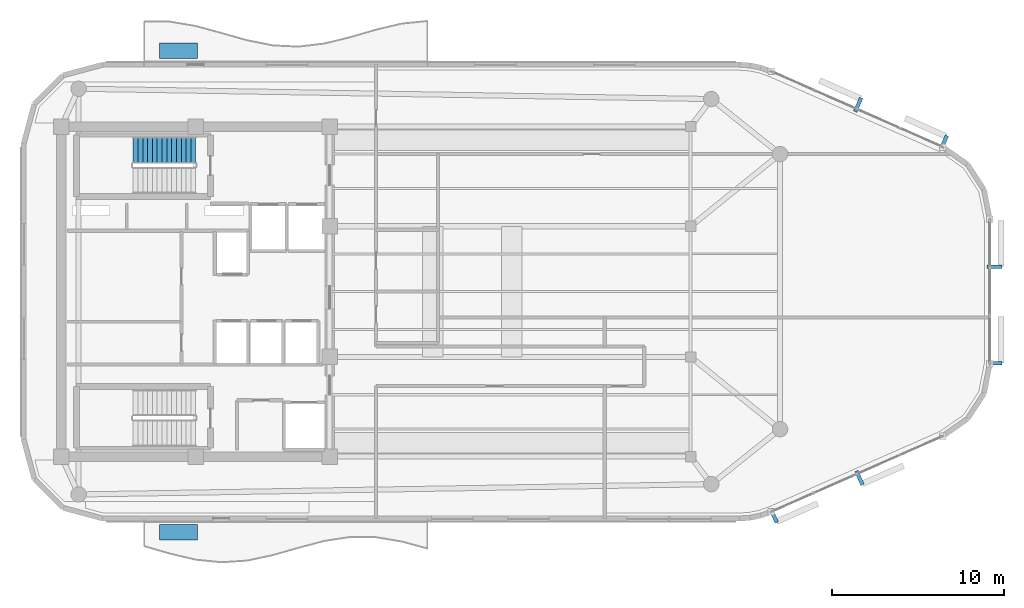
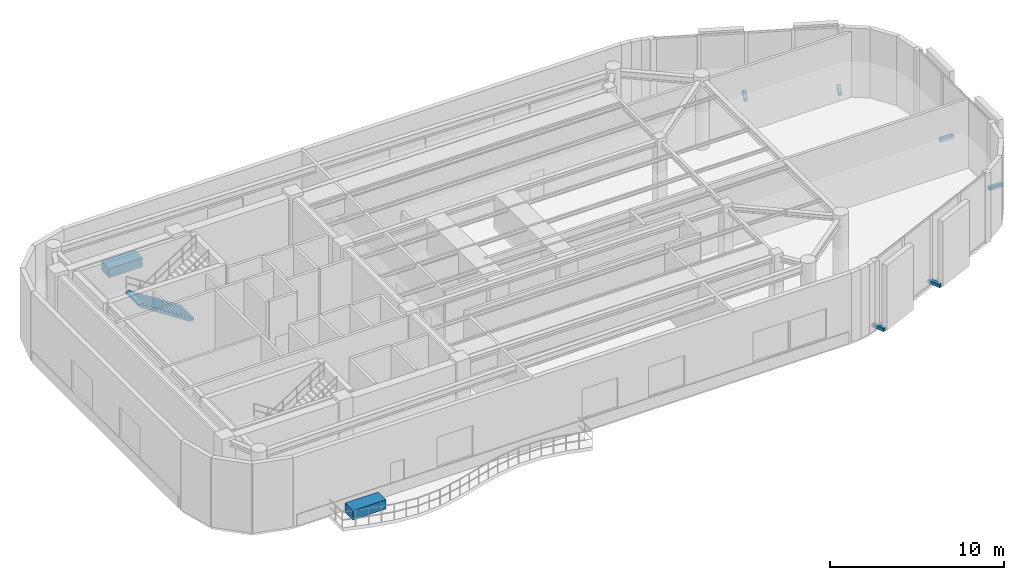
# One storey, part 10 of 12: 8 discrete accessories, 1 stair flight, 1 element without a shape of its own.
"""IFC4 building model written with IfcOpenShell, lengths in metres."""

from ifc_helpers import new_model, si_unit, direction, frame, origin, origin_2d, place, context, subcontext, project, spatial, polyline, rectangle, outline, extrude, material, type_object, element, aggregate, save


model = new_model("IFC4")

# Units and contexts
model_context = context("Model", 3, precision=1e-05, world=origin(), true_north=direction((0.0, 1.0)))
body_context = subcontext(model_context, "Body", "Model", "MODEL_VIEW")
ifc_project = project(units=[si_unit("LENGTHUNIT", "METRE"), si_unit("AREAUNIT", "SQUARE_METRE"), si_unit("VOLUMEUNIT", "CUBIC_METRE"), si_unit("PLANEANGLEUNIT", "RADIAN"), si_unit("MASSUNIT", "GRAM", prefix="KILO")], contexts=[model_context])

# Site, building, storey
site_placement = place(None, origin())
site = spatial("IfcSite", under=ifc_project, at=site_placement, CompositionType="ELEMENT")
building_placement = place(site_placement, origin())
building = spatial("IfcBuilding", under=site, at=building_placement, Name="An Khanh Terracotta Commons", CompositionType="ELEMENT")
storey_placement = place(building_placement, frame((0.0, 0.0, 295.300048828125)))
storey = spatial("IfcBuildingStorey", under=building, at=storey_placement, Name="L77", CompositionType="ELEMENT", Elevation=295.300048828125)

# Stair, stair flight
ifc_material_1 = material(Name="Precast concrete C40/50", Category="concrete")
stair_type = type_object("IfcStairType", Name="STAIR-CORE-1550", PredefinedType="HALF_TURN_STAIR", material=ifc_material_1)
stair_placement = place(storey_placement, origin())
stair = element("IfcStair", 1, at=stair_placement, inside=storey, type_object=stair_type, Name="L77 Core Smokeproof Exit Stair ST-01", PredefinedType="HALF_TURN_STAIR")
stair_flight_type = type_object("IfcStairFlightType", Name="FLIGHT-CORE-1550", PredefinedType="STRAIGHT", material=ifc_material_1)
stair_flight_placement = place(storey_placement, frame((29.409912109375, 32.22509765625, 0.0), z_axis=(0.0, 0.0, 1.0), x_axis=(-1.0, 0.0, 0.0)))
stair_flight = element("IfcStairFlight", 2, at=stair_flight_placement, type_object=stair_flight_type, Name="ST-01 flight 1", NumberOfRisers=14, NumberOfTreads=13, PredefinedType="STRAIGHT", RiserHeight=0.182142857, TreadLength=0.28, context=body_context, shape_type="SweptSolid", body=[
    extrude(outline(polyline([(0.0, 0.0), (0.0, 0.18212890625), (0.280029296875, 0.18212890625), (0.280029296875, 0.3642578125), (0.56005859375, 0.3642578125), (0.56005859375, 0.54638671875), (0.840087890625, 0.54638671875), (0.840087890625, 0.728515625), (1.1201171875, 0.728515625), (1.1201171875, 0.91064453125), (1.39990234375, 0.91064453125), (1.39990234375, 1.0927734375), (1.679931640625, 1.0927734375), (1.679931640625, 1.27490234375), (1.9599609375, 1.27490234375), (1.9599609375, 1.45703125), (2.239990234375, 1.45703125), (2.239990234375, 1.639404296875), (2.52001953125, 1.639404296875), (2.52001953125, 1.821533203125), (2.800048828125, 1.821533203125), (2.800048828125, 2.003662109375), (3.080078125, 2.003662109375), (3.080078125, 2.185791015625), (3.360107421875, 2.185791015625), (3.360107421875, 2.367919921875), (3.639892578125, 2.367919921875), (3.639892578125, 2.550048828125), (3.639892578125, 2.18896484375), (0.27490234375, 0.0), (0.0, 0.0)])), frame((0.0, 0.77490234375, 0.0), z_axis=(0.0, -1.0, 0.0), x_axis=(1.0, 0.0, 0.0)), (0.0, 0.0, 1.0), 1.550048828125),
])
aggregate(stair, [stair_flight])

# Discrete accessories
ifc_material_2 = material(Name="Stainless Steel Grade 316L", Category="steel")
discrete_accessory_type_1 = type_object("IfcDiscreteAccessoryType", Name="Stainless Outrigger Facade Bracket", PredefinedType="BRACKET", material=ifc_material_2)
for number, where, z_axis, x_axis, name in (
    (3, (63.031005859375, 10.965087890625, 0.06982421875), (0.0, 0.0, 1.0), (0.914901853201, 0.403676354285, 0.0), "L77 Terracotta Screen Outrigger Bracket 1"),
    (4, (68.01611328125, 13.1640625, 0.06982421875), (0.0, 0.0, 1.0), (0.914901853201, 0.403676354285, 0.0), "L77 Terracotta Screen Outrigger Bracket 3"),
    (5, (75.864990234375, 19.837890625, 0.06982421875), (0.0, 0.0, 1.0), (0.0, 1.0, 0.0), "L77 Terracotta Screen Outrigger Bracket 1"),
    (6, (75.864990234375, 25.44091796875, 0.06982421875), (0.0, 0.0, 1.0), (0.0, 1.0, 0.0), "L77 Terracotta Screen Outrigger Bracket 3"),
    (7, (72.927001953125, 32.6689453125, 0.06982421875), (0.0, 0.0, 1.0), (-0.914901853201, 0.403676354285, 0.0), "L77 Terracotta Screen Outrigger Bracket 1"),
    (8, (67.94189453125, 34.867919921875, 0.06982421875), (0.0, 0.0, 1.0), (-0.914901853201, 0.403676354285, 0.0), "L77 Terracotta Screen Outrigger Bracket 3"),
):
    element("IfcDiscreteAccessory", number, at=place(storey_placement, frame(where, z_axis=z_axis, x_axis=x_axis)), inside=storey, type_object=discrete_accessory_type_1, Name=name, PredefinedType="BRACKET", context=body_context, shape_type="SweptSolid", body=[
        extrude(rectangle(XDim=0.219970703125, YDim=0.8701171875, at=origin_2d()), origin(), (0.0, 0.0, 1.0), 0.219970703125),
    ])
ifc_material_3 = material(Name="Planted Garden Soil Substrate in Precast GRC", Category="concrete")
discrete_accessory_type_2 = type_object("IfcDiscreteAccessoryType", Name="Terrace Garden Planter", PredefinedType="USERDEFINED", material=ifc_material_3)
for number, where, z_axis, x_axis, name in (
    (9, (28.39990234375, 10.0, 0.0), (0.0, 0.0, 1.0), (1.0, 0.0, 0.0), "L77 S Sky Balcony Planter"),
    (10, (28.39990234375, 38.0, 0.0), (0.0, 0.0, 1.0), (1.0, 0.0, 0.0), "L77 N Sky Balcony Planter"),
):
    element("IfcDiscreteAccessory", number, at=place(storey_placement, frame(where, z_axis=z_axis, x_axis=x_axis)), inside=storey, type_object=discrete_accessory_type_2, Name=name, ObjectType="PLANTER", PredefinedType="USERDEFINED", context=body_context, shape_type="SweptSolid", body=[
        extrude(rectangle(XDim=2.199951171875, YDim=0.89990234375, at=origin_2d()), origin(), (0.0, 0.0, 1.0), 0.64990234375),
    ])

save(model, "model.ifc")
